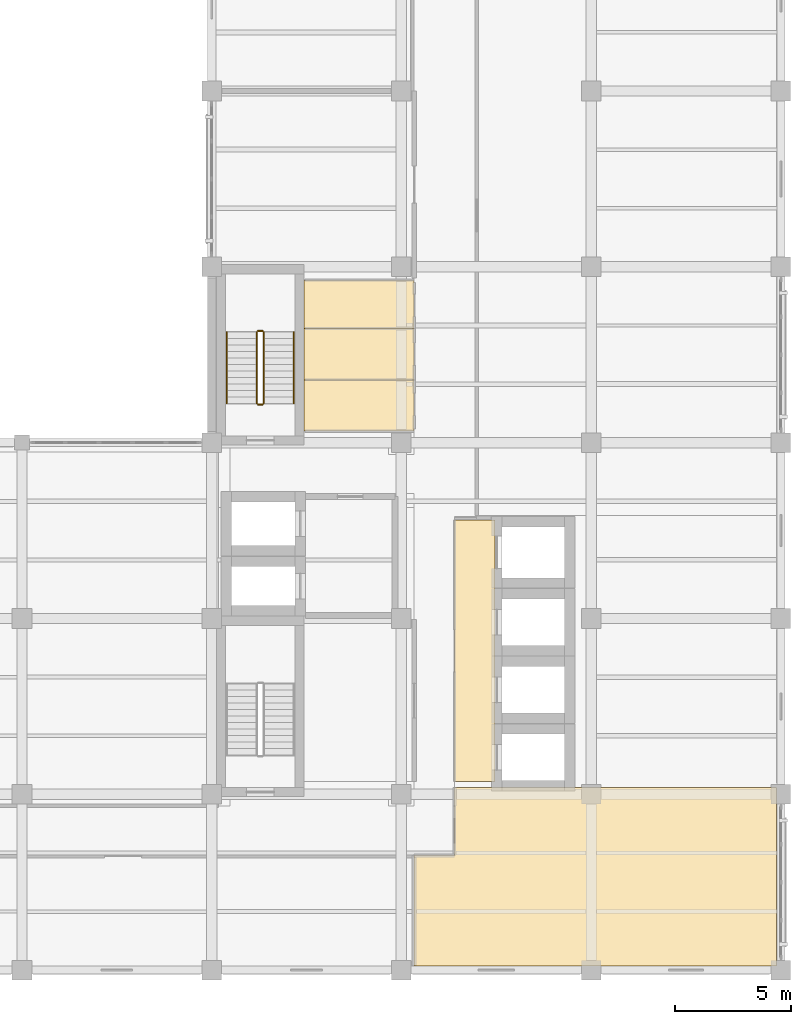
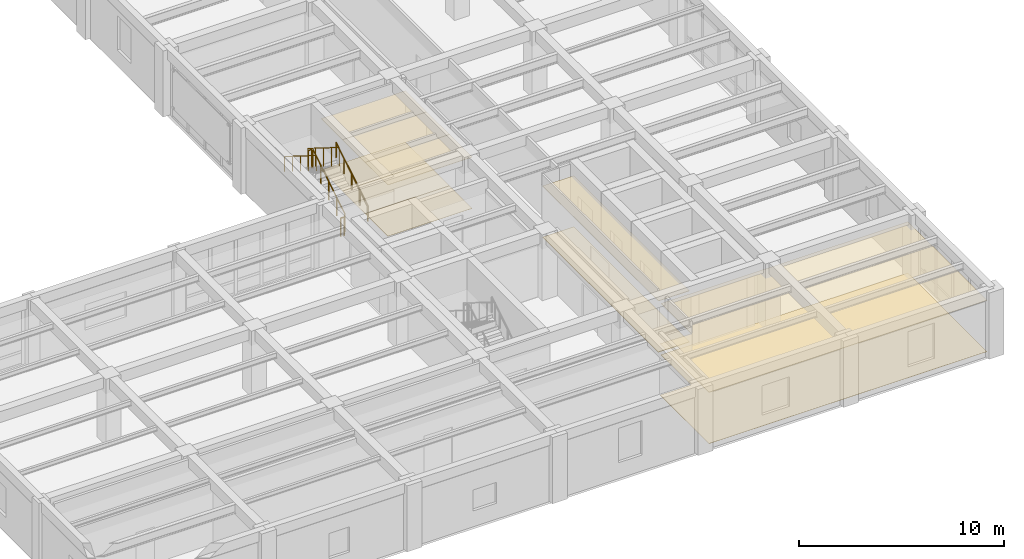
# One storey, part 15 of 17: 10 coverings, 6 railings.
"""IFC4 building model written with IfcOpenShell, lengths in metres."""

from ifc_helpers import new_model, si_unit, direction, frame, origin, origin_2d, place, context, subcontext, project, spatial, polyline, circle, outline, extrude, material, layer, layer_set, type_object, element, save


model = new_model("IFC4")

# Units and contexts
model_context = context("Model", 3, precision=1e-05, world=origin(), true_north=direction((0.0, 1.0)))
body_context = subcontext(model_context, "Body", "Model", "MODEL_VIEW")
ifc_project = project(units=[si_unit("LENGTHUNIT", "METRE"), si_unit("AREAUNIT", "SQUARE_METRE"), si_unit("VOLUMEUNIT", "CUBIC_METRE"), si_unit("PLANEANGLEUNIT", "RADIAN"), si_unit("MASSUNIT", "GRAM", prefix="KILO")], contexts=[model_context])

# Site, building, storey
site_placement = place(None, origin())
site = spatial("IfcSite", under=ifc_project, at=site_placement, CompositionType="ELEMENT")
building_placement = place(site_placement, origin())
building = spatial("IfcBuilding", under=site, at=building_placement, Name="Qandaris Square Conservatory and Botanical Centre", CompositionType="ELEMENT")
storey_placement = place(building_placement, frame((0.0, 0.0, 28.199951171875)))
storey = spatial("IfcBuildingStorey", under=building, at=storey_placement, Name="L06", CompositionType="ELEMENT", Elevation=28.199951171875)

# Coverings
ifc_material_1 = material(Name="Honed Qatari Limestone", Category="masonry")
ifc_layer_1 = layer(ifc_material_1, 0.030029296875)
ifc_layer_set_1 = layer_set([ifc_layer_1], Name="Honed Qatari Limestone")
covering_type_1 = type_object("IfcCoveringType", Name="Honed Qatari Limestone Concourse Paving", PredefinedType="FLOORING", material=ifc_layer_set_1)
covering_1_placement = place(storey_placement, origin())
element("IfcCovering", 1, at=covering_1_placement, inside=storey, type_object=covering_type_1, Name="Passenger Lift Lobby L06 Flooring", PredefinedType="FLOORING", context=body_context, shape_type="SweptSolid", body=[
    extrude(outline(polyline([(149.699951171875, 36.050048828125), (151.449951171875, 36.050048828125), (151.449951171875, 24.75), (149.699951171875, 24.75), (149.699951171875, 36.050048828125)])), origin(), (0.0, 0.0, 1.0), 0.030029296875),
])
ifc_material_2 = material(Name="Gypsum Plasterboard", Category="gypsum")
ifc_layer_2 = layer(ifc_material_2, 0.02490234375)
ifc_layer_set_2 = layer_set([ifc_layer_2], Name="Gypsum Plasterboard")
covering_type_2 = type_object("IfcCoveringType", Name="Perforated Acoustic Lab Ceiling Tile", PredefinedType="CEILING", material=ifc_layer_set_2)
covering_2_placement = place(storey_placement, frame((0.0, 0.0, 3.050048828125)))
element("IfcCovering", 2, at=covering_2_placement, inside=storey, type_object=covering_type_2, Name="Passenger Lift Lobby L06 Ceiling", PredefinedType="CEILING", context=body_context, shape_type="SweptSolid", body=[
    extrude(outline(polyline([(149.699951171875, 36.050048828125), (151.449951171875, 36.050048828125), (151.449951171875, 24.75), (149.699951171875, 24.75), (149.699951171875, 36.050048828125)])), origin(), (0.0, 0.0, 1.0), 0.02490234375),
])
covering_3_placement = place(storey_placement, frame((0.0, 0.0, 3.050048828125)))
element("IfcCovering", 3, at=covering_3_placement, inside=storey, type_object=covering_type_2, Name="Accessible Toilet L06 Ceiling", PredefinedType="CEILING", context=body_context, shape_type="SweptSolid", body=[
    extrude(outline(polyline([(147.949951171875, 42.1201171875), (147.949951171875, 39.89990234375), (143.199951171875, 39.89990234375), (143.199951171875, 42.1201171875), (147.949951171875, 42.1201171875)])), origin(), (0.0, 0.0, 1.0), 0.02490234375),
])
covering_4_placement = place(storey_placement, frame((0.0, 0.0, 3.050048828125)))
element("IfcCovering", 4, at=covering_4_placement, inside=storey, type_object=covering_type_2, Name="Staff Male Toilet L06 Ceiling", PredefinedType="CEILING", context=body_context, shape_type="SweptSolid", body=[
    extrude(outline(polyline([(147.949951171875, 44.340087890625), (147.949951171875, 42.1201171875), (143.199951171875, 42.1201171875), (143.199951171875, 44.340087890625), (147.949951171875, 44.340087890625)])), origin(), (0.0, 0.0, 1.0), 0.02490234375),
])
covering_5_placement = place(storey_placement, frame((0.0, 0.0, 3.050048828125)))
element("IfcCovering", 5, at=covering_5_placement, inside=storey, type_object=covering_type_2, Name="Staff Female Toilet L06 Ceiling", PredefinedType="CEILING", context=body_context, shape_type="SweptSolid", body=[
    extrude(outline(polyline([(147.949951171875, 46.419921875), (147.949951171875, 44.340087890625), (143.199951171875, 44.340087890625), (143.199951171875, 46.419921875), (147.949951171875, 46.419921875)])), origin(), (0.0, 0.0, 1.0), 0.02490234375),
])
covering_6_placement = place(storey_placement, frame((0.0, 0.0, 3.050048828125)))
element("IfcCovering", 6, at=covering_6_placement, inside=storey, type_object=covering_type_2, Name="Floor L06 Instrument and Balance Room Ceiling", PredefinedType="CEILING", context=body_context, shape_type="SweptSolid", body=[
    extrude(outline(polyline([(147.949951171875, 21.550048828125), (149.699951171875, 21.550048828125), (149.699951171875, 23.699951171875), (149.699951171875, 24.5), (163.6201171875, 24.5), (163.6201171875, 16.780029296875), (147.949951171875, 16.780029296875), (147.949951171875, 21.550048828125)])), origin(), (0.0, 0.0, 1.0), 0.02490234375),
])
ifc_material_3 = material(Name="Epoxy Resin Screed", Category="finish")
ifc_layer_3 = layer(ifc_material_3, 0.014892578125)
ifc_layer_set_3 = layer_set([ifc_layer_3], Name="Epoxy Resin Screed")
covering_type_3 = type_object("IfcCoveringType", Name="Seamless Epoxy Laboratory Flooring", PredefinedType="FLOORING", material=ifc_layer_set_3)
covering_7_placement = place(storey_placement, origin())
element("IfcCovering", 7, at=covering_7_placement, inside=storey, type_object=covering_type_3, Name="Accessible Toilet L06 Flooring", PredefinedType="FLOORING", context=body_context, shape_type="SweptSolid", body=[
    extrude(outline(polyline([(147.949951171875, 42.1201171875), (147.949951171875, 39.89990234375), (143.199951171875, 39.89990234375), (143.199951171875, 42.1201171875), (147.949951171875, 42.1201171875)])), origin(), (0.0, 0.0, 1.0), 0.01513671875),
])
covering_8_placement = place(storey_placement, origin())
element("IfcCovering", 8, at=covering_8_placement, inside=storey, type_object=covering_type_3, Name="Staff Male Toilet L06 Flooring", PredefinedType="FLOORING", context=body_context, shape_type="SweptSolid", body=[
    extrude(outline(polyline([(147.949951171875, 44.340087890625), (147.949951171875, 42.1201171875), (143.199951171875, 42.1201171875), (143.199951171875, 44.340087890625), (147.949951171875, 44.340087890625)])), origin(), (0.0, 0.0, 1.0), 0.01513671875),
])
covering_9_placement = place(storey_placement, origin())
element("IfcCovering", 9, at=covering_9_placement, inside=storey, type_object=covering_type_3, Name="Staff Female Toilet L06 Flooring", PredefinedType="FLOORING", context=body_context, shape_type="SweptSolid", body=[
    extrude(outline(polyline([(147.949951171875, 46.419921875), (147.949951171875, 44.340087890625), (143.199951171875, 44.340087890625), (143.199951171875, 46.419921875), (147.949951171875, 46.419921875)])), origin(), (0.0, 0.0, 1.0), 0.01513671875),
])
covering_10_placement = place(storey_placement, origin())
element("IfcCovering", 10, at=covering_10_placement, inside=storey, type_object=covering_type_3, Name="Floor L06 Instrument and Balance Room Flooring", PredefinedType="FLOORING", context=body_context, shape_type="SweptSolid", body=[
    extrude(outline(polyline([(147.949951171875, 21.550048828125), (149.699951171875, 21.550048828125), (149.699951171875, 23.699951171875), (149.699951171875, 24.5), (163.6201171875, 24.5), (163.6201171875, 16.780029296875), (147.949951171875, 16.780029296875), (147.949951171875, 21.550048828125)])), origin(), (0.0, 0.0, 1.0), 0.01513671875),
])

# Railings
ifc_material_4 = material(Name="Stainless Steel", Category="steel")
railing_type_1 = type_object("IfcRailingType", Name="Stair Tubular Handrail 920mm", PredefinedType="HANDRAIL", material=ifc_material_4)
railing_1_placement = place(storey_placement, frame((142.75, 41.10009765625, 0.35009765625)))
element("IfcRailing", 11, at=railing_1_placement, inside=storey, type_object=railing_type_1, Name="L06 ST-2 stair handrail 1", PredefinedType="HANDRAIL", context=body_context, shape_type="SweptSolid", body=[
    extrude(circle(Radius=0.02392578125, at=origin_2d()), frame((0.0, 0.0, 0.89599609375), z_axis=(0.0, 0.847979421464, 0.530029150871), x_axis=(-1.0, 0.0, 0.0)), (0.0, 0.0, 1.0), 3.632080078125),
    extrude(circle(Radius=0.02099609375, at=origin_2d()), origin(), (0.0, 0.0, 1.0), 0.871826171875),
    extrude(circle(Radius=0.02099609375, at=origin_2d()), frame((0.0, 0.77001953125, 0.481201171875)), (0.0, 0.0, 1.0), 0.871826171875),
    extrude(circle(Radius=0.02099609375, at=origin_2d()), frame((0.0, 1.5400390625, 0.96240234375)), (0.0, 0.0, 1.0), 0.871826171875),
    extrude(circle(Radius=0.02099609375, at=origin_2d()), frame((0.0, 2.309814453125, 1.44384765625)), (0.0, 0.0, 1.0), 0.871826171875),
    extrude(circle(Radius=0.02099609375, at=origin_2d()), frame((0.0, 3.079833984375, 1.925048828125)), (0.0, 0.0, 1.0), 0.871826171875),
])
railing_2_placement = place(storey_placement, frame((139.85009765625, 44.179931640625, 2.449951171875)))
element("IfcRailing", 12, at=railing_2_placement, inside=storey, type_object=railing_type_1, Name="L06 ST-2 stair handrail 2", PredefinedType="HANDRAIL", context=body_context, shape_type="SweptSolid", body=[
    extrude(circle(Radius=0.02392578125, at=origin_2d()), frame((0.0, 0.0, 0.89599609375), z_axis=(0.0, -0.847979421464, 0.530029150871), x_axis=(1.0, 0.0, 0.0)), (0.0, 0.0, 1.0), 3.632080078125),
    extrude(circle(Radius=0.02099609375, at=origin_2d()), origin(), (0.0, 0.0, 1.0), 0.871826171875),
    extrude(circle(Radius=0.02099609375, at=origin_2d()), frame((0.0, -0.77001953125, 0.481201171875)), (0.0, 0.0, 1.0), 0.871826171875),
    extrude(circle(Radius=0.02099609375, at=origin_2d()), frame((0.0, -1.5400390625, 0.96240234375)), (0.0, 0.0, 1.0), 0.871826171875),
    extrude(circle(Radius=0.02099609375, at=origin_2d()), frame((0.0, -2.309814453125, 1.44384765625)), (0.0, 0.0, 1.0), 0.871826171875),
    extrude(circle(Radius=0.02099609375, at=origin_2d()), frame((0.0, -3.079833984375, 1.925048828125)), (0.0, 0.0, 1.0), 0.871826171875),
])
railing_type_2 = type_object("IfcRailingType", Name="Stairwell & Atrium Guardrail 1120mm", PredefinedType="GUARDRAIL", material=ifc_material_4)
railing_3_placement = place(storey_placement, frame((141.449951171875, 41.10009765625, 0.175048828125)))
element("IfcRailing", 13, at=railing_3_placement, inside=storey, type_object=railing_type_2, Name="L06 ST-2 stair guard 1", PredefinedType="GUARDRAIL", context=body_context, shape_type="SweptSolid", body=[
    extrude(circle(Radius=0.02392578125, at=origin_2d()), frame((0.0, 0.0, 1.09619140625), z_axis=(0.0, 0.847979421464, 0.530029150871), x_axis=(-1.0, 0.0, 0.0)), (0.0, 0.0, 1.0), 3.632080078125),
    extrude(circle(Radius=0.02099609375, at=origin_2d()), origin(), (0.0, 0.0, 1.0), 1.072021484375),
    extrude(circle(Radius=0.02099609375, at=origin_2d()), frame((0.0, 0.77001953125, 0.481201171875)), (0.0, 0.0, 1.0), 1.072021484375),
    extrude(circle(Radius=0.02099609375, at=origin_2d()), frame((0.0, 1.5400390625, 0.96240234375)), (0.0, 0.0, 1.0), 1.072021484375),
    extrude(circle(Radius=0.02099609375, at=origin_2d()), frame((0.0, 2.309814453125, 1.44384765625)), (0.0, 0.0, 1.0), 1.072021484375),
    extrude(circle(Radius=0.02099609375, at=origin_2d()), frame((0.0, 3.079833984375, 1.925048828125)), (0.0, 0.0, 1.0), 1.072021484375),
])
railing_4_placement = place(storey_placement, frame((141.39990234375, 44.22998046875, 2.10009765625)))
element("IfcRailing", 14, at=railing_4_placement, inside=storey, type_object=railing_type_2, Name="L06 ST-2 stair guard 2", PredefinedType="GUARDRAIL", context=body_context, shape_type="SweptSolid", body=[
    extrude(circle(Radius=0.02392578125, at=origin_2d()), frame((0.0, 0.0, 1.09619140625), z_axis=(-1.0, 0.0, 0.0), x_axis=(0.0, -1.0, 0.0)), (0.0, 0.0, 1.0), 0.199951171875),
    extrude(circle(Radius=0.02099609375, at=origin_2d()), origin(), (0.0, 0.0, 1.0), 1.072021484375),
    extrude(circle(Radius=0.02099609375, at=origin_2d()), frame((-0.199951171875, 0.0, 0.0)), (0.0, 0.0, 1.0), 1.072021484375),
])
railing_5_placement = place(storey_placement, frame((141.14990234375, 44.179931640625, 2.275146484375)))
element("IfcRailing", 15, at=railing_5_placement, inside=storey, type_object=railing_type_2, Name="L06 ST-2 stair guard 3", PredefinedType="GUARDRAIL", context=body_context, shape_type="SweptSolid", body=[
    extrude(circle(Radius=0.02392578125, at=origin_2d()), frame((0.0, 0.0, 1.09619140625), z_axis=(0.0, -0.848009633417, 0.529980812513), x_axis=(1.0, 0.0, 0.0)), (0.0, 0.0, 1.0), 3.6318359375),
    extrude(circle(Radius=0.02099609375, at=origin_2d()), origin(), (0.0, 0.0, 1.0), 1.072021484375),
    extrude(circle(Radius=0.02099609375, at=origin_2d()), frame((0.0, -0.77001953125, 0.481201171875)), (0.0, 0.0, 1.0), 1.072021484375),
    extrude(circle(Radius=0.02099609375, at=origin_2d()), frame((0.0, -1.5400390625, 0.96240234375)), (0.0, 0.0, 1.0), 1.072021484375),
    extrude(circle(Radius=0.02099609375, at=origin_2d()), frame((0.0, -2.309814453125, 1.443603515625)), (0.0, 0.0, 1.0), 1.072021484375),
    extrude(circle(Radius=0.02099609375, at=origin_2d()), frame((0.0, -3.079833984375, 1.9248046875)), (0.0, 0.0, 1.0), 1.072021484375),
])
railing_6_placement = place(storey_placement, frame((141.39990234375, 41.050048828125, 0.0)))
element("IfcRailing", 16, at=railing_6_placement, inside=storey, type_object=railing_type_2, Name="L06 ST-2 stair guard 4", PredefinedType="GUARDRAIL", context=body_context, shape_type="SweptSolid", body=[
    extrude(circle(Radius=0.02392578125, at=origin_2d()), frame((0.0, 0.0, 1.09619140625), z_axis=(-1.0, 0.0, 0.0), x_axis=(0.0, -1.0, 0.0)), (0.0, 0.0, 1.0), 0.199951171875),
    extrude(circle(Radius=0.02099609375, at=origin_2d()), origin(), (0.0, 0.0, 1.0), 1.072021484375),
    extrude(circle(Radius=0.02099609375, at=origin_2d()), frame((-0.199951171875, 0.0, 0.0)), (0.0, 0.0, 1.0), 1.072021484375),
])

save(model, "model.ifc")
